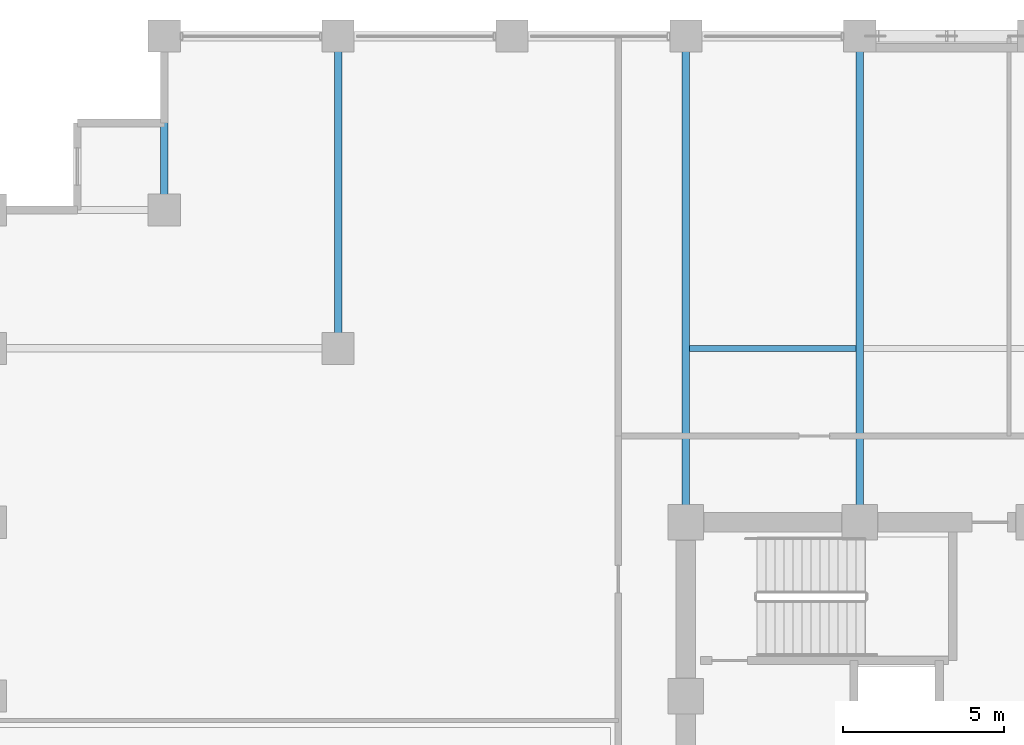
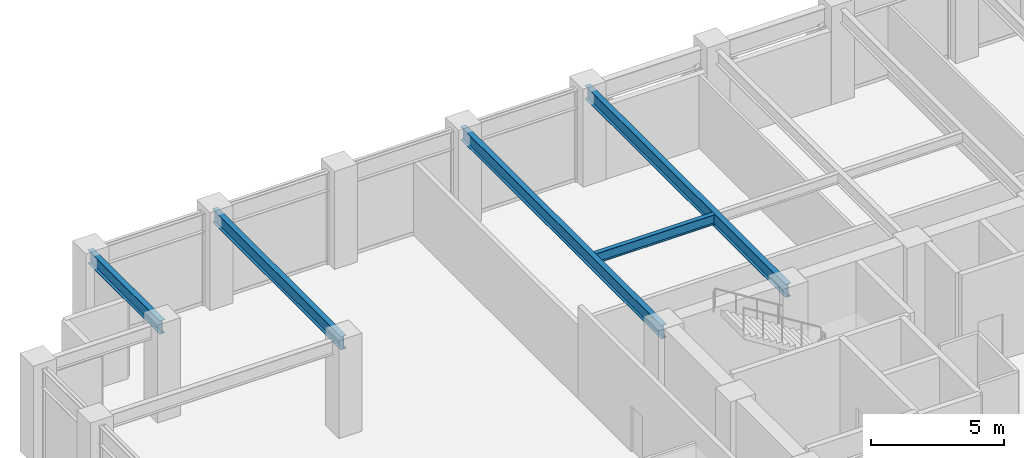
# One storey, part 10 of 25: 5 beams.
"""IFC4 building model written with IfcOpenShell, lengths in metres."""

from ifc_helpers import new_model, si_unit, direction, frame, origin, origin_2d, place, context, subcontext, project, spatial, i_section, extrude, material, material_profile, profile_set, type_object, element, save


model = new_model("IFC4")

# Units and contexts
model_context = context("Model", 3, precision=1e-05, world=origin(), true_north=direction((0.0, 1.0)))
body_context = subcontext(model_context, "Body", "Model", "MODEL_VIEW")
ifc_project = project(units=[si_unit("LENGTHUNIT", "METRE"), si_unit("AREAUNIT", "SQUARE_METRE"), si_unit("VOLUMEUNIT", "CUBIC_METRE"), si_unit("PLANEANGLEUNIT", "RADIAN"), si_unit("MASSUNIT", "GRAM", prefix="KILO")], contexts=[model_context])

# Site, building, storey
site_placement = place(None, origin())
site = spatial("IfcSite", under=ifc_project, at=site_placement, CompositionType="ELEMENT")
building_placement = place(site_placement, origin())
building = spatial("IfcBuilding", under=site, at=building_placement, Name="Surkhivell Harbour Commons", CompositionType="ELEMENT")
storey_placement = place(building_placement, frame((0.0, 0.0, 162.0)))
storey = spatial("IfcBuildingStorey", under=building, at=storey_placement, Name="L42", CompositionType="ELEMENT", Elevation=162.0)

# Beams
ifc_material = material(Name="Steel S355", Category="steel")
ifc_material_profile_1 = material_profile(ifc_material, i_section(OverallWidth=0.22998046875, OverallDepth=0.616943359375, WebThickness=0.01318359375, FlangeThickness=0.022216796875, at=origin_2d()), Name="UB610x229x140")
ifc_profile_set_1 = profile_set([ifc_material_profile_1], Name="Steel S355")
beam_type_1 = type_object("IfcBeamType", Name="BM-GRD-610B", PredefinedType="BEAM", material=ifc_profile_set_1)
beam_1_placement = place(storey_placement, frame((-27.0, 20.5, 3.94140625), z_axis=(0.0, 1.0, 0.0), x_axis=(-1.0, 0.0, 0.0)))
element("IfcBeam", 1, at=beam_1_placement, inside=storey, type_object=beam_type_1, Name="L42 Floor Girder (-27.0,20.5)", PredefinedType="BEAM", context=body_context, shape_type="SweptSolid", body=[
    extrude(i_section(OverallWidth=0.22998046875, OverallDepth=0.616943359375, WebThickness=0.01318359375, FlangeThickness=0.022216796875, at=origin_2d()), origin(), (0.0, 0.0, 1.0), 5.39990234375),
])
beam_2_placement = place(storey_placement, frame((-21.60009765625, 16.199951171875, 3.94140625), z_axis=(0.0, 1.0, 0.0), x_axis=(-1.0, 0.0, 0.0)))
element("IfcBeam", 2, at=beam_2_placement, inside=storey, type_object=beam_type_1, Name="L42 Floor Girder (-21.6,16.2)", PredefinedType="BEAM", context=body_context, shape_type="SweptSolid", body=[
    extrude(i_section(OverallWidth=0.22998046875, OverallDepth=0.616943359375, WebThickness=0.01318359375, FlangeThickness=0.022216796875, at=origin_2d()), origin(), (0.0, 0.0, 1.0), 9.699951171875),
])
for number, where, z_axis, x_axis, name in (
    (3, (-10.800048828125, 10.800048828125, 3.94140625), (0.0, 1.0, 0.0), (-1.0, 0.0, 0.0), "L42 Floor Girder (-10.8,10.8)"),
    (4, (-5.39990234375, 10.800048828125, 3.94140625), (0.0, 1.0, 0.0), (-1.0, 0.0, 0.0), "L42 Floor Girder (-5.4,10.8)"),
):
    element("IfcBeam", number, at=place(storey_placement, frame(where, z_axis=z_axis, x_axis=x_axis)), inside=storey, type_object=beam_type_1, Name=name, PredefinedType="BEAM", context=body_context, shape_type="SweptSolid", body=[
        extrude(i_section(OverallWidth=0.22998046875, OverallDepth=0.616943359375, WebThickness=0.01318359375, FlangeThickness=0.022216796875, at=origin_2d()), origin(), (0.0, 0.0, 1.0), 15.099853515625),
    ])
ifc_material_profile_2 = material_profile(ifc_material, i_section(OverallWidth=0.18994140625, OverallDepth=0.45703125, WebThickness=0.009033203125, FlangeThickness=0.014404296875, at=origin_2d()), Name="UB457x191x74")
ifc_profile_set_2 = profile_set([ifc_material_profile_2], Name="Steel S355")
beam_type_2 = type_object("IfcBeamType", Name="BM-JST-457B", PredefinedType="JOIST", material=ifc_profile_set_2)
beam_3_placement = place(storey_placement, frame((-10.68701171875, 16.199951171875, 4.021484375), z_axis=(1.0, 0.0, 0.0), x_axis=(0.0, 1.0, 0.0)))
element("IfcBeam", 5, at=beam_3_placement, inside=storey, type_object=beam_type_2, Name="L42 North Composite Joist (-10.8)", PredefinedType="JOIST", context=body_context, shape_type="SweptSolid", body=[
    extrude(i_section(OverallWidth=0.18994140625, OverallDepth=0.45703125, WebThickness=0.009033203125, FlangeThickness=0.014404296875, at=origin_2d()), origin(), (0.0, 0.0, 1.0), 5.174072265625),
])

save(model, "model.ifc")
